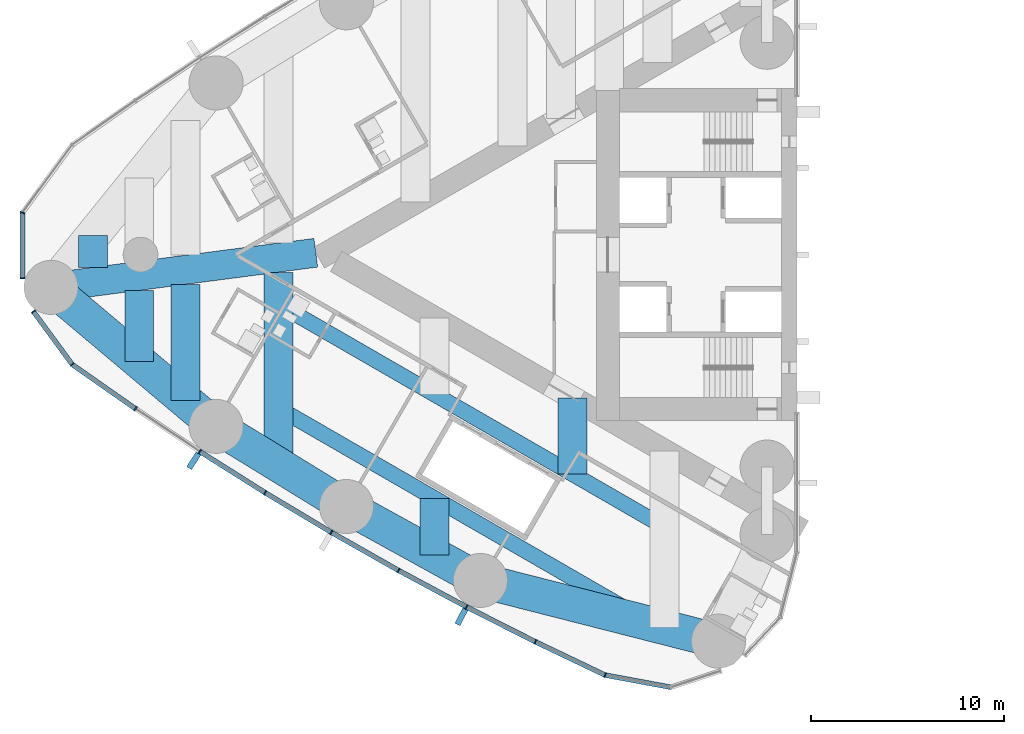
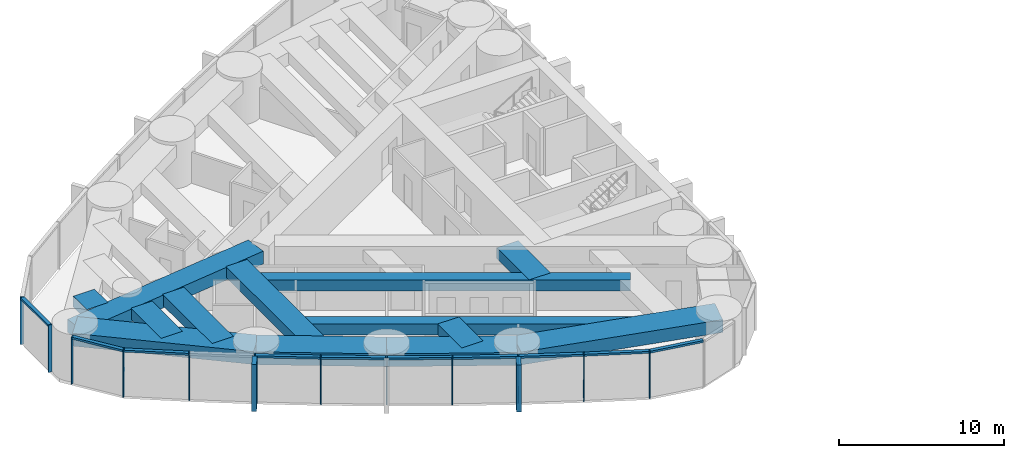
# One storey, part 2 of 19: 24 members, 13 beams, 2 elements without a shape of their own.
"""IFC4 building model written with IfcOpenShell, lengths in metres."""

from ifc_helpers import new_model, si_unit, direction, frame, origin, origin_2d, place, context, subcontext, project, spatial, rectangle, hollow_rectangle, extrude, material, material_profile, profile_set, type_object, element, aggregate, save


model = new_model("IFC4")

# Units and contexts
model_context = context("Model", 3, precision=1e-05, world=origin(), true_north=direction((0.0, 1.0)))
body_context = subcontext(model_context, "Body", "Model", "MODEL_VIEW")
ifc_project = project(units=[si_unit("LENGTHUNIT", "METRE"), si_unit("AREAUNIT", "SQUARE_METRE"), si_unit("VOLUMEUNIT", "CUBIC_METRE"), si_unit("PLANEANGLEUNIT", "RADIAN"), si_unit("MASSUNIT", "GRAM", prefix="KILO")], contexts=[model_context])

# Site, building, storey
site_placement = place(None, origin())
site = spatial("IfcSite", under=ifc_project, at=site_placement, CompositionType="ELEMENT")
building_placement = place(site_placement, origin())
building = spatial("IfcBuilding", under=site, at=building_placement, Name="Lancet Gate Hotel", CompositionType="ELEMENT")
storey_placement = place(building_placement, frame((0.0, 0.0, 184.300048828125)))
storey = spatial("IfcBuildingStorey", under=building, at=storey_placement, Name="L49", CompositionType="ELEMENT", Elevation=184.300048828125)

# Curtain wall, members
ifc_material_1 = material(Name="Aluminium curtain wall", Category="aluminium")
curtain_wall_type = type_object("IfcCurtainWallType", Name="Tower unitised curtain wall", PredefinedType="USERDEFINED", material=ifc_material_1)
curtain_wall_1_placement = place(storey_placement, origin())
curtain_wall_1 = element("IfcCurtainWall", 1, at=curtain_wall_1_placement, inside=storey, type_object=curtain_wall_type, Name="T1 L49 curtain wall 2", ObjectType="UNITISED CURTAIN WALL", PredefinedType="USERDEFINED")
ifc_material_2 = material(Name="Aluminium mullion", Category="aluminium")
ifc_material_profile_1 = material_profile(ifc_material_2, rectangle(XDim=0.06494140625, YDim=0.25, at=origin_2d()), Name="MULLION 65x250")
ifc_profile_set_1 = profile_set([ifc_material_profile_1], Name="Aluminium mullion")
member_type_1 = type_object("IfcMemberType", Name="Aluminium mullion 65x250", PredefinedType="MULLION", material=ifc_profile_set_1)
member_1_placement = place(storey_placement, frame((-67.61572265625, 2.177490234375, 0.0), z_axis=(0.0, 0.0, 1.0), x_axis=(-0.349199411078, -0.937048435943, 0.0)))
member_1 = element("IfcMember", 2, at=member_1_placement, type_object=member_type_1, Name="T1 L49 curtain wall 2 mullion 12", PredefinedType="MULLION", context=body_context, shape_type="SweptSolid", body=[
    extrude(rectangle(XDim=0.06494140625, YDim=0.25, at=origin_2d()), origin(), (0.0, 0.0, 1.0), 3.5),
])
member_2_placement = place(storey_placement, frame((-67.61572265625, -1.220458984375, 0.0), z_axis=(0.0, 0.0, 1.0), x_axis=(0.0, -1.0, 0.0)))
member_2 = element("IfcMember", 3, at=member_2_placement, type_object=member_type_1, Name="T1 L49 curtain wall 2 mullion 13", PredefinedType="MULLION", context=body_context, shape_type="SweptSolid", body=[
    extrude(rectangle(XDim=0.06494140625, YDim=0.25, at=origin_2d()), origin(), (0.0, 0.0, 1.0), 3.5),
])

curtain_wall_2_placement = place(storey_placement, origin())
curtain_wall_2 = element("IfcCurtainWall", 4, at=curtain_wall_2_placement, inside=storey, type_object=curtain_wall_type, Name="T1 L49 curtain wall 3", ObjectType="UNITISED CURTAIN WALL", PredefinedType="USERDEFINED")
member_3_placement = place(storey_placement, frame((-67.05029296875, -2.948486328125, 0.0), z_axis=(0.0, 0.0, 1.0), x_axis=(0.591299785592, -0.806451835858, 0.0)))
member_3 = element("IfcMember", 5, at=member_3_placement, type_object=member_type_1, Name="T1 L49 curtain wall 3 mullion 1", PredefinedType="MULLION", context=body_context, shape_type="SweptSolid", body=[
    extrude(rectangle(XDim=0.06494140625, YDim=0.25, at=origin_2d()), origin(), (0.0, 0.0, 1.0), 3.5),
])
member_4_placement = place(storey_placement, frame((-65.040283203125, -5.68994140625, 0.0), z_axis=(0.0, 0.0, 1.0), x_axis=(0.724381882759, -0.689398932354, 0.0)))
member_4 = element("IfcMember", 6, at=member_4_placement, type_object=member_type_1, Name="T1 L49 curtain wall 3 mullion 2", PredefinedType="MULLION", context=body_context, shape_type="SweptSolid", body=[
    extrude(rectangle(XDim=0.06494140625, YDim=0.25, at=origin_2d()), origin(), (0.0, 0.0, 1.0), 3.5),
])
member_5_placement = place(storey_placement, frame((-61.7626953125, -7.980712890625, 0.0), z_axis=(0.0, 0.0, 1.0), x_axis=(0.826312172542, -0.563212387568, 0.0)))
member_5 = element("IfcMember", 7, at=member_5_placement, type_object=member_type_1, Name="T1 L49 curtain wall 3 mullion 3", PredefinedType="MULLION", context=body_context, shape_type="SweptSolid", body=[
    extrude(rectangle(XDim=0.06494140625, YDim=0.25, at=origin_2d()), origin(), (0.0, 0.0, 1.0), 3.5),
])
member_6_placement = place(storey_placement, frame((-58.43212890625, -10.194091796875, 0.0), z_axis=(0.0, 0.0, 1.0), x_axis=(0.839331119324, -0.54362052218, 0.0)))
member_6 = element("IfcMember", 8, at=member_6_placement, type_object=member_type_1, Name="T1 L49 curtain wall 3 mullion 4", PredefinedType="MULLION", context=body_context, shape_type="SweptSolid", body=[
    extrude(rectangle(XDim=0.06494140625, YDim=0.25, at=origin_2d()), origin(), (0.0, 0.0, 1.0), 3.5),
])
member_7_placement = place(storey_placement, frame((-55.05029296875, -12.328369140625, 0.0), z_axis=(0.0, 0.0, 1.0), x_axis=(0.851885635531, -0.52372785297, 0.0)))
member_7 = element("IfcMember", 9, at=member_7_placement, type_object=member_type_1, Name="T1 L49 curtain wall 3 mullion 5", PredefinedType="MULLION", context=body_context, shape_type="SweptSolid", body=[
    extrude(rectangle(XDim=0.06494140625, YDim=0.25, at=origin_2d()), origin(), (0.0, 0.0, 1.0), 3.5),
])
member_8_placement = place(storey_placement, frame((-51.619384765625, -14.38232421875, 0.0), z_axis=(0.0, 0.0, 1.0), x_axis=(0.863968774311, -0.503545387245, 0.0)))
member_8 = element("IfcMember", 10, at=member_8_placement, type_object=member_type_1, Name="T1 L49 curtain wall 3 mullion 6", PredefinedType="MULLION", context=body_context, shape_type="SweptSolid", body=[
    extrude(rectangle(XDim=0.06494140625, YDim=0.25, at=origin_2d()), origin(), (0.0, 0.0, 1.0), 3.5),
])
member_9_placement = place(storey_placement, frame((-48.140869140625, -16.355224609375, 0.0), z_axis=(0.0, 0.0, 1.0), x_axis=(0.87557384965, -0.483084292654, 0.0)))
member_9 = element("IfcMember", 11, at=member_9_placement, type_object=member_type_1, Name="T1 L49 curtain wall 3 mullion 7", PredefinedType="MULLION", context=body_context, shape_type="SweptSolid", body=[
    extrude(rectangle(XDim=0.06494140625, YDim=0.25, at=origin_2d()), origin(), (0.0, 0.0, 1.0), 3.5),
])
member_10_placement = place(storey_placement, frame((-44.6171875, -18.245849609375, 0.0), z_axis=(0.0, 0.0, 1.0), x_axis=(0.886694440064, -0.462355891019, 0.0)))
member_10 = element("IfcMember", 12, at=member_10_placement, type_object=member_type_1, Name="T1 L49 curtain wall 3 mullion 8", PredefinedType="MULLION", context=body_context, shape_type="SweptSolid", body=[
    extrude(rectangle(XDim=0.06494140625, YDim=0.25, at=origin_2d()), origin(), (0.0, 0.0, 1.0), 3.5),
])
member_11_placement = place(storey_placement, frame((-41.0498046875, -20.052978515625, 0.0), z_axis=(0.0, 0.0, 1.0), x_axis=(0.897324392142, -0.441371652088, 0.0)))
member_11 = element("IfcMember", 13, at=member_11_placement, type_object=member_type_1, Name="T1 L49 curtain wall 3 mullion 9", PredefinedType="MULLION", context=body_context, shape_type="SweptSolid", body=[
    extrude(rectangle(XDim=0.06494140625, YDim=0.25, at=origin_2d()), origin(), (0.0, 0.0, 1.0), 3.5),
])
member_12_placement = place(storey_placement, frame((-37.44091796875, -21.775634765625, 0.0), z_axis=(0.0, 0.0, 1.0), x_axis=(0.948119321052, -0.317914694609, 0.0)))
member_12 = element("IfcMember", 14, at=member_12_placement, type_object=member_type_1, Name="T1 L49 curtain wall 3 mullion 10", PredefinedType="MULLION", context=body_context, shape_type="SweptSolid", body=[
    extrude(rectangle(XDim=0.06494140625, YDim=0.25, at=origin_2d()), origin(), (0.0, 0.0, 1.0), 3.5),
])

# Member
ifc_material_3 = material(Name="Aluminium transom", Category="aluminium")
ifc_material_profile_2 = material_profile(ifc_material_3, rectangle(XDim=0.25, YDim=0.14990234375, at=origin_2d()), Name="TRANSOM 250x150")
ifc_profile_set_2 = profile_set([ifc_material_profile_2], Name="Aluminium transom")
member_type_2 = type_object("IfcMemberType", Name="Aluminium transom 250x150", PredefinedType="USERDEFINED", material=ifc_profile_set_2)
member_13_placement = place(storey_placement, frame((-67.61572265625, 2.14501953125, 3.425048828125), z_axis=(0.0, -1.0, 0.0), x_axis=(1.0, 0.0, 0.0)))
member_13 = element("IfcMember", 15, at=member_13_placement, type_object=member_type_2, Name="T1 L49 curtain wall 2 transom 12", ObjectType="TRANSOM", PredefinedType="USERDEFINED", context=body_context, shape_type="SweptSolid", body=[
    extrude(rectangle(XDim=0.25, YDim=0.14990234375, at=origin_2d()), origin(), (0.0, 0.0, 1.0), 3.3330078125),
])

aggregate(curtain_wall_1, [member_1, member_2, member_13])

member_14_placement = place(storey_placement, frame((-67.031005859375, -2.974853515625, 3.425048828125), z_axis=(0.591306519832, -0.806446898193, 0.0), x_axis=(0.806446898193, 0.591306519832, 0.0)))
member_14 = element("IfcMember", 16, at=member_14_placement, type_object=member_type_2, Name="T1 L49 curtain wall 3 transom 1", ObjectType="TRANSOM", PredefinedType="USERDEFINED", context=body_context, shape_type="SweptSolid", body=[
    extrude(rectangle(XDim=0.25, YDim=0.14990234375, at=origin_2d()), origin(), (0.0, 0.0, 1.0), 3.333984375),
])

member_15_placement = place(storey_placement, frame((-65.013671875, -5.70849609375, 3.425048828125), z_axis=(0.819636985462, -0.572883244704, 0.0), x_axis=(0.572883244704, 0.819636985462, 0.0)))
member_15 = element("IfcMember", 17, at=member_15_placement, type_object=member_type_2, Name="T1 L49 curtain wall 3 transom 2", ObjectType="TRANSOM", PredefinedType="USERDEFINED", context=body_context, shape_type="SweptSolid", body=[
    extrude(rectangle(XDim=0.25, YDim=0.14990234375, at=origin_2d()), origin(), (0.0, 0.0, 1.0), 3.933837890625),
])

member_16_placement = place(storey_placement, frame((-58.40478515625, -10.21142578125, 3.425048828125), z_axis=(0.845671711095, -0.53370343549, 0.0), x_axis=(0.53370343549, 0.845671711095, 0.0)))
member_16 = element("IfcMember", 18, at=member_16_placement, type_object=member_type_2, Name="T1 L49 curtain wall 3 transom 4", ObjectType="TRANSOM", PredefinedType="USERDEFINED", context=body_context, shape_type="SweptSolid", body=[
    extrude(rectangle(XDim=0.25, YDim=0.14990234375, at=origin_2d()), origin(), (0.0, 0.0, 1.0), 3.93408203125),
])

member_17_placement = place(storey_placement, frame((-55.0224609375, -12.344970703125, 3.425048828125), z_axis=(0.857985365092, -0.513674131419, 0.0), x_axis=(0.513674131419, 0.857985365092, 0.0)))
member_17 = element("IfcMember", 19, at=member_17_placement, type_object=member_type_2, Name="T1 L49 curtain wall 3 transom 5", ObjectType="TRANSOM", PredefinedType="USERDEFINED", context=body_context, shape_type="SweptSolid", body=[
    extrude(rectangle(XDim=0.25, YDim=0.14990234375, at=origin_2d()), origin(), (0.0, 0.0, 1.0), 3.933837890625),
])

member_18_placement = place(storey_placement, frame((-51.591064453125, -14.3984375, 3.425048828125), z_axis=(0.869819807367, -0.493369539709, 0.0), x_axis=(0.493369539709, 0.869819807367, 0.0)))
member_18 = element("IfcMember", 20, at=member_18_placement, type_object=member_type_2, Name="T1 L49 curtain wall 3 transom 6", ObjectType="TRANSOM", PredefinedType="USERDEFINED", context=body_context, shape_type="SweptSolid", body=[
    extrude(rectangle(XDim=0.25, YDim=0.14990234375, at=origin_2d()), origin(), (0.0, 0.0, 1.0), 3.93408203125),
])

member_19_placement = place(storey_placement, frame((-48.1123046875, -16.37060546875, 3.425048828125), z_axis=(0.881185491994, -0.472770693571, 0.0), x_axis=(0.472770693571, 0.881185491994, 0.0)))
member_19 = element("IfcMember", 21, at=member_19_placement, type_object=member_type_2, Name="T1 L49 curtain wall 3 transom 7", ObjectType="TRANSOM", PredefinedType="USERDEFINED", context=body_context, shape_type="SweptSolid", body=[
    extrude(rectangle(XDim=0.25, YDim=0.14990234375, at=origin_2d()), origin(), (0.0, 0.0, 1.0), 3.93408203125),
])

member_20_placement = place(storey_placement, frame((-44.588134765625, -18.260498046875, 3.425048828125), z_axis=(0.892081477453, -0.451874581699, 0.0), x_axis=(0.451874581699, 0.892081477453, 0.0)))
member_20 = element("IfcMember", 22, at=member_20_placement, type_object=member_type_2, Name="T1 L49 curtain wall 3 transom 8", ObjectType="TRANSOM", PredefinedType="USERDEFINED", context=body_context, shape_type="SweptSolid", body=[
    extrude(rectangle(XDim=0.25, YDim=0.14990234375, at=origin_2d()), origin(), (0.0, 0.0, 1.0), 3.933837890625),
])

member_21_placement = place(storey_placement, frame((-41.0205078125, -20.06689453125, 3.425048828125), z_axis=(0.902468975385, -0.430754858902, 0.0), x_axis=(0.430754858902, 0.902468975385, 0.0)))
member_21 = element("IfcMember", 23, at=member_21_placement, type_object=member_type_2, Name="T1 L49 curtain wall 3 transom 9", ObjectType="TRANSOM", PredefinedType="USERDEFINED", context=body_context, shape_type="SweptSolid", body=[
    extrude(rectangle(XDim=0.25, YDim=0.14990234375, at=origin_2d()), origin(), (0.0, 0.0, 1.0), 3.93408203125),
])

member_22_placement = place(storey_placement, frame((-37.408935546875, -21.781494140625, 3.425048828125), z_axis=(0.983286757871, -0.182063592724, 0.0), x_axis=(0.182063592724, 0.983286757871, 0.0)))
member_22 = element("IfcMember", 24, at=member_22_placement, type_object=member_type_2, Name="T1 L49 curtain wall 3 transom 10", ObjectType="TRANSOM", PredefinedType="USERDEFINED", context=body_context, shape_type="SweptSolid", body=[
    extrude(rectangle(XDim=0.25, YDim=0.14990234375, at=origin_2d()), origin(), (0.0, 0.0, 1.0), 3.406005859375),
])

# Beams
ifc_material_4 = material(Name="Concrete C50/60", Category="concrete")
ifc_material_profile_3 = material_profile(ifc_material_4, rectangle(XDim=1.800048828125, YDim=0.949951171875, at=origin_2d()), Name="RC 1800x950")
ifc_profile_set_3 = profile_set([ifc_material_profile_3], Name="Concrete C50/60")
beam_type_1 = type_object("IfcBeamType", Name="Edge beam RC 1800x950", PredefinedType="SPANDREL", material=ifc_profile_set_3)
beam_1_placement = place(storey_placement, frame((-66.142578125, -1.6953125, 2.77490234375), z_axis=(0.765120708367, -0.64388687021, 0.0), x_axis=(0.64388687021, 0.765120708367, 0.0)))
element("IfcBeam", 25, at=beam_1_placement, inside=storey, type_object=beam_type_1, Name="T1 edge beam EB1 L49", PredefinedType="SPANDREL", context=body_context, shape_type="SweptSolid", body=[
    extrude(rectangle(XDim=1.800048828125, YDim=0.949951171875, at=origin_2d()), origin(), (0.0, 0.0, 1.0), 11.1787109375),
])
beam_2_placement = place(storey_placement, frame((-57.589599609375, -8.89306640625, 2.77490234375), z_axis=(0.851892008043, -0.523717487423, 0.0), x_axis=(0.523717487423, 0.851892008043, 0.0)))
element("IfcBeam", 26, at=beam_2_placement, inside=storey, type_object=beam_type_1, Name="T1 edge beam EB1 L49", PredefinedType="SPANDREL", context=body_context, shape_type="SweptSolid", body=[
    extrude(rectangle(XDim=1.800048828125, YDim=0.949951171875, at=origin_2d()), origin(), (0.0, 0.0, 1.0), 7.92431640625),
])
beam_3_placement = place(storey_placement, frame((-50.8388671875, -13.043212890625, 2.77490234375), z_axis=(0.875577684027, -0.483077342911, 0.0), x_axis=(0.483077342911, 0.875577684027, 0.0)))
element("IfcBeam", 27, at=beam_3_placement, inside=storey, type_object=beam_type_1, Name="T1 edge beam EB1 L49", PredefinedType="SPANDREL", context=body_context, shape_type="SweptSolid", body=[
    extrude(rectangle(XDim=1.800048828125, YDim=0.949951171875, at=origin_2d()), origin(), (0.0, 0.0, 1.0), 7.924560546875),
])
beam_4_placement = place(storey_placement, frame((-43.900390625, -16.871337890625, 2.77490234375), z_axis=(0.969008414312, -0.247027717052, 0.0), x_axis=(0.247027717052, 0.969008414312, 0.0)))
element("IfcBeam", 28, at=beam_4_placement, inside=storey, type_object=beam_type_1, Name="T1 edge beam EB1 L49", PredefinedType="SPANDREL", context=body_context, shape_type="SweptSolid", body=[
    extrude(rectangle(XDim=1.800048828125, YDim=0.949951171875, at=origin_2d()), origin(), (0.0, 0.0, 1.0), 12.7294921875),
])

# Member
ifc_material_5 = material(Name="Precast concrete C50/60", Category="concrete")
ifc_material_profile_4 = material_profile(ifc_material_5, rectangle(XDim=0.300048828125, YDim=0.89990234375, at=origin_2d()), Name="FIN 300x900")
ifc_profile_set_4 = profile_set([ifc_material_profile_4], Name="Precast concrete C50/60")
member_type_3 = type_object("IfcMemberType", Name="Exposed concrete fin 300x900", PredefinedType="USERDEFINED", material=ifc_profile_set_4)
member_23_placement = place(storey_placement, frame((-58.74462890625, -10.6767578125, 0.0), z_axis=(0.0, 0.0, 1.0), x_axis=(0.839331119324, -0.54362052218, 0.0)))
member_23 = element("IfcMember", 29, at=member_23_placement, type_object=member_type_3, Name="T1 L49 curtain wall 3 fin 4", ObjectType="FIN", PredefinedType="USERDEFINED", context=body_context, shape_type="SweptSolid", body=[
    extrude(rectangle(XDim=0.300048828125, YDim=0.89990234375, at=origin_2d()), origin(), (0.0, 0.0, 1.0), 3.5),
])

member_24_placement = place(storey_placement, frame((-44.883056640625, -18.755615234375, 0.0), z_axis=(0.0, 0.0, 1.0), x_axis=(0.886694440064, -0.462355891019, 0.0)))
member_24 = element("IfcMember", 30, at=member_24_placement, type_object=member_type_3, Name="T1 L49 curtain wall 3 fin 8", ObjectType="FIN", PredefinedType="USERDEFINED", context=body_context, shape_type="SweptSolid", body=[
    extrude(rectangle(XDim=0.300048828125, YDim=0.89990234375, at=origin_2d()), origin(), (0.0, 0.0, 1.0), 3.5),
])

aggregate(curtain_wall_2, [member_3, member_4, member_5, member_6, member_23, member_7, member_8, member_9, member_10, member_24, member_11, member_12, member_14, member_15, member_16, member_17, member_18, member_19, member_20, member_21, member_22])

# Beams
ifc_material_6 = material(Name="Concrete C50/60", Category="concrete")
ifc_material_profile_5 = material_profile(ifc_material_6, rectangle(XDim=1.5, YDim=0.800048828125, at=origin_2d()), Name="RC 1500x800")
ifc_profile_set_5 = profile_set([ifc_material_profile_5], Name="Concrete C50/60")
beam_type_2 = type_object("IfcBeamType", Name="Floor beam RC 1500x800", PredefinedType="BEAM", material=ifc_profile_set_5)
beam_5_placement = place(storey_placement, frame((-54.3681640625, -0.9130859375, 2.849853515625), z_axis=(0.0, -1.0, 0.0), x_axis=(1.0, 0.0, 0.0)))
element("IfcBeam", 31, at=beam_5_placement, inside=storey, type_object=beam_type_2, Name="T1 floor beam F11N L49", PredefinedType="BEAM", context=body_context, shape_type="SweptSolid", body=[
    extrude(rectangle(XDim=1.5, YDim=0.800048828125, at=origin_2d()), origin(), (0.0, 0.0, 1.0), 9.96044921875),
])
beam_6_placement = place(storey_placement, frame((-59.168212890625, -1.54052734375, 2.849853515625), z_axis=(0.0, -1.0, 0.0), x_axis=(1.0, 0.0, 0.0)))
element("IfcBeam", 32, at=beam_6_placement, inside=storey, type_object=beam_type_2, Name="T1 floor beam F13N L49", PredefinedType="BEAM", context=body_context, shape_type="SweptSolid", body=[
    extrude(rectangle(XDim=1.5, YDim=0.800048828125, at=origin_2d()), origin(), (0.0, 0.0, 1.0), 6.02392578125),
])
beam_7_placement = place(storey_placement, frame((-61.568359375, -1.85400390625, 2.849853515625), z_axis=(0.0, -1.0, 0.0), x_axis=(1.0, 0.0, 0.0)))
element("IfcBeam", 33, at=beam_7_placement, inside=storey, type_object=beam_type_2, Name="T1 floor beam F15N L49", PredefinedType="BEAM", context=body_context, shape_type="SweptSolid", body=[
    extrude(rectangle(XDim=1.5, YDim=0.800048828125, at=origin_2d()), origin(), (0.0, 0.0, 1.0), 3.69091796875),
])
beam_8_placement = place(storey_placement, frame((-63.96826171875, 0.996337890625, 2.849853515625), z_axis=(0.0, -1.0, 0.0), x_axis=(1.0, 0.0, 0.0)))
element("IfcBeam", 34, at=beam_8_placement, inside=storey, type_object=beam_type_2, Name="T1 floor beam F16S L49", PredefinedType="BEAM", context=body_context, shape_type="SweptSolid", body=[
    extrude(rectangle(XDim=1.5, YDim=0.800048828125, at=origin_2d()), origin(), (0.0, 0.0, 1.0), 1.6513671875),
])
beam_9_placement = place(storey_placement, frame((-39.122314453125, -7.41650390625, 2.849853515625), z_axis=(0.0, -1.0, 0.0), x_axis=(1.0, 0.0, 0.0)))
element("IfcBeam", 35, at=beam_9_placement, inside=storey, type_object=beam_type_2, Name="T1 floor beam F05NA L49", PredefinedType="BEAM", context=body_context, shape_type="SweptSolid", body=[
    extrude(rectangle(XDim=1.5, YDim=0.800048828125, at=origin_2d()), origin(), (0.0, 0.0, 1.0), 3.945556640625),
])
beam_10_placement = place(storey_placement, frame((-46.27587890625, -12.61962890625, 2.849853515625), z_axis=(0.0, -1.0, 0.0), x_axis=(1.0, 0.0, 0.0)))
element("IfcBeam", 36, at=beam_10_placement, inside=storey, type_object=beam_type_2, Name="T1 floor beam F08NB L49", PredefinedType="BEAM", context=body_context, shape_type="SweptSolid", body=[
    extrude(rectangle(XDim=1.5, YDim=0.800048828125, at=origin_2d()), origin(), (0.0, 0.0, 1.0), 2.941162109375),
])
ifc_material_7 = material(Name="Concrete C50/60", Category="concrete")
ifc_material_profile_6 = material_profile(ifc_material_7, rectangle(XDim=1.5, YDim=0.949951171875, at=origin_2d()), Name="RC 1500x950")
ifc_profile_set_6 = profile_set([ifc_material_profile_6], Name="Concrete C50/60")
beam_type_3 = type_object("IfcBeamType", Name="Radial floor beam RC 1500x950", PredefinedType="BEAM", material=ifc_profile_set_6)
beam_11_placement = place(storey_placement, frame((-66.142578125, -1.6953125, 2.77490234375), z_axis=(0.991571259053, 0.129562487702, 0.0), x_axis=(-0.129562487702, 0.991571259053, 0.0)))
element("IfcBeam", 37, at=beam_11_placement, inside=storey, type_object=beam_type_3, Name="T1 radial beam CA L49", PredefinedType="BEAM", context=body_context, shape_type="SweptSolid", body=[
    extrude(rectangle(XDim=1.5, YDim=0.949951171875, at=origin_2d()), origin(), (0.0, 0.0, 1.0), 13.8349609375),
])
ifc_material_8 = material(Name="Steel S460QL", Category="steel")
ifc_material_profile_7 = material_profile(ifc_material_8, hollow_rectangle(XDim=0.800048828125, YDim=0.800048828125, WallThickness=0.080078125, at=origin_2d()), Name="BOX 800x800x80")
ifc_profile_set_7 = profile_set([ifc_material_profile_7], Name="Steel S460QL")
beam_type_4 = type_object("IfcBeamType", Name="Trimmer beam BOX 800x800x80", PredefinedType="BEAM", material=ifc_profile_set_7)
beam_12_placement = place(storey_placement, frame((-34.353515625, -14.115234375, 2.849853515625), z_axis=(-0.866035353112, 0.499982766863, 0.0), x_axis=(-0.499982766863, -0.866035353112, 0.0)))
element("IfcBeam", 38, at=beam_12_placement, inside=storey, type_object=beam_type_4, Name="T1 trimmer beam TR01N L49", PredefinedType="BEAM", context=body_context, shape_type="SweptSolid", body=[
    extrude(hollow_rectangle(XDim=0.800048828125, YDim=0.800048828125, WallThickness=0.080078125, at=origin_2d()), origin(), (0.0, 0.0, 1.0), 23.110595703125),
])
beam_13_placement = place(storey_placement, frame((-34.966552734375, -19.14892578125, 2.849853515625), z_axis=(-0.866032239169, 0.499988160579, 0.0), x_axis=(-0.499988160579, -0.866032239169, 0.0)))
element("IfcBeam", 39, at=beam_13_placement, inside=storey, type_object=beam_type_4, Name="T1 trimmer beam TR02N L49", PredefinedType="BEAM", context=body_context, shape_type="SweptSolid", body=[
    extrude(hollow_rectangle(XDim=0.800048828125, YDim=0.800048828125, WallThickness=0.080078125, at=origin_2d()), origin(), (0.0, 0.0, 1.0), 22.40283203125),
])

save(model, "model.ifc")
